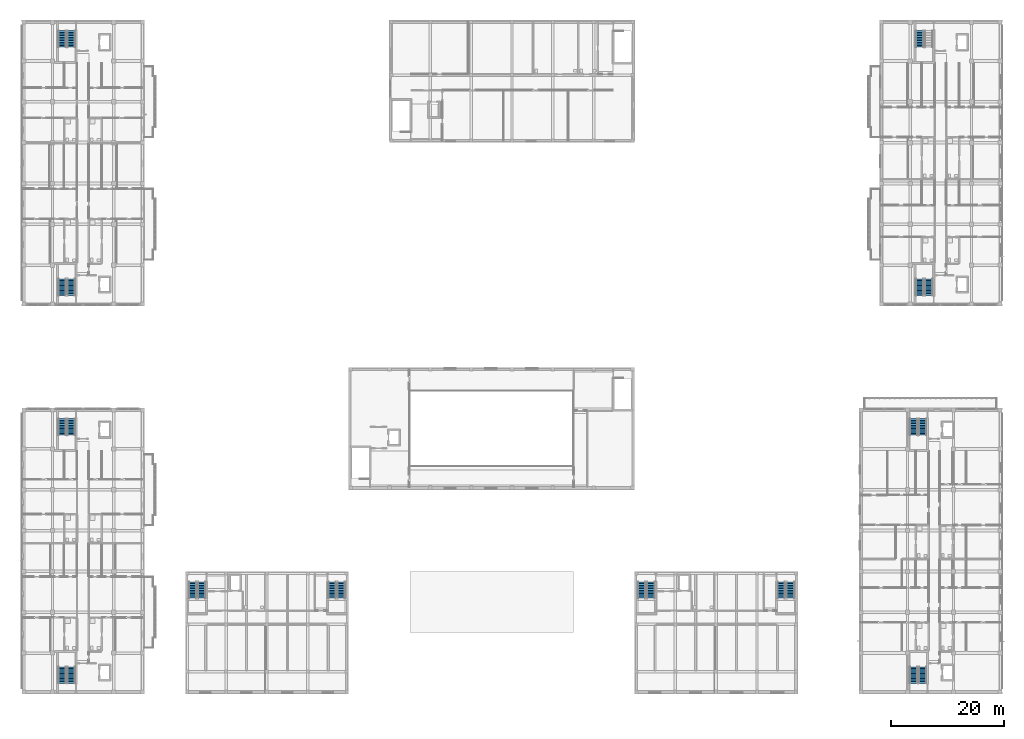
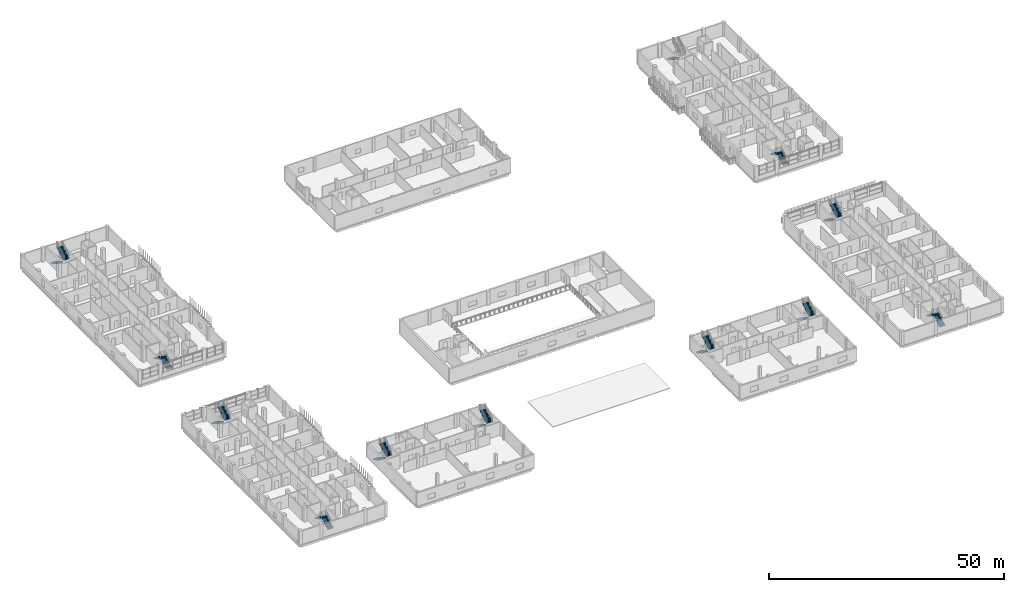
# One storey, part 53 of 73: 23 stair flights, 12 elements without a shape of their own.
"""IFC4 building model written with IfcOpenShell, lengths in metres."""

from ifc_helpers import new_model, si_unit, derived_unit, direction, frame, origin, place, context, subcontext, project, spatial, polyline, outline, extrude, material, type_object, element, aggregate, save


model = new_model("IFC4")

# Units and contexts
model_context = context("Model", 3, precision=1e-05, world=origin(), true_north=direction((0.0, 1.0)))
body_context = subcontext(model_context, "Body", "Model", "MODEL_VIEW")
ifc_project = project(units=[si_unit("LENGTHUNIT", "METRE"), si_unit("AREAUNIT", "SQUARE_METRE"), si_unit("VOLUMEUNIT", "CUBIC_METRE"), si_unit("PLANEANGLEUNIT", "RADIAN"), si_unit("MASSUNIT", "GRAM", prefix="KILO"), derived_unit("THERMALTRANSMITTANCEUNIT", [(si_unit("MASSUNIT", "GRAM", prefix="KILO"), 1), (si_unit("TIMEUNIT", "SECOND"), -3), (si_unit("THERMODYNAMICTEMPERATUREUNIT", "KELVIN"), -1)])], contexts=[model_context])

# Site, building, storey
site_placement = place(None, origin())
site = spatial("IfcSite", under=ifc_project, at=site_placement, CompositionType="ELEMENT")
building_placement = place(site_placement, origin())
building = spatial("IfcBuilding", under=site, at=building_placement, Name="Ochrekiln Boulevard Commons", CompositionType="ELEMENT")
storey_placement = place(building_placement, frame((0.0, 0.0, 4.89990234375)))
storey = spatial("IfcBuildingStorey", under=building, at=storey_placement, Name="L01", CompositionType="ELEMENT", Elevation=4.89990234375)

# Stair, stair flights
ifc_material = material(Name="Concrete C35/45", Category="concrete")
stair_type = type_object("IfcStairType", Name="STR-DL-368", PredefinedType="TWO_STRAIGHT_RUN_STAIR", material=ifc_material)
stair_1_placement = place(storey_placement, origin())
stair_1 = element("IfcStair", 1, at=stair_1_placement, inside=storey, type_object=stair_type, Name="L01 Enclosed Exit Stair ST-A1", PredefinedType="TWO_STRAIGHT_RUN_STAIR")
stair_flight_type = type_object("IfcStairFlightType", Name="SFL-ST-368", PredefinedType="STRAIGHT", material=ifc_material)
stair_flight_1_placement = place(storey_placement, frame((8.699951171875, 70.27001953125, 0.0), z_axis=(0.0, 0.0, 1.0), x_axis=(0.0, 1.0, 0.0)))
stair_flight_1 = element("IfcStairFlight", 2, at=stair_flight_1_placement, type_object=stair_flight_type, Name="ST-A1 flight 1", NumberOfRisers=11, NumberOfTreads=10, PredefinedType="STRAIGHT", RiserHeight=0.167045455, TreadLength=0.29, context=body_context, shape_type="SweptSolid", body=[
    extrude(outline(polyline([(0.0, 0.0), (0.0, 0.1669921875), (0.2900390625, 0.1669921875), (0.2900390625, 0.333984375), (0.580078125, 0.333984375), (0.580078125, 0.501220703125), (0.8701171875, 0.501220703125), (0.8701171875, 0.668212890625), (1.159912109375, 0.668212890625), (1.159912109375, 0.835205078125), (1.449951171875, 0.835205078125), (1.449951171875, 1.002197265625), (1.739990234375, 1.002197265625), (1.739990234375, 1.16943359375), (2.030029296875, 1.16943359375), (2.030029296875, 1.33642578125), (2.320068359375, 1.33642578125), (2.320068359375, 1.50341796875), (2.610107421875, 1.50341796875), (2.610107421875, 1.67041015625), (2.89990234375, 1.67041015625), (2.89990234375, 1.83740234375), (2.89990234375, 1.48583984375), (0.3203125, 0.0), (0.0, 0.0)])), frame((0.0, 0.699951171875, 0.0), z_axis=(0.0, -1.0, 0.0), x_axis=(1.0, 0.0, 0.0)), (0.0, 0.0, 1.0), 1.39990234375),
])
stair_flight_2_placement = place(storey_placement, frame((7.10009765625, 73.169921875, 1.837646484375), z_axis=(0.0, 0.0, 1.0), x_axis=(0.0, -1.0, 0.0)))
stair_flight_2 = element("IfcStairFlight", 3, at=stair_flight_2_placement, type_object=stair_flight_type, Name="ST-A1 flight 2", NumberOfRisers=11, NumberOfTreads=10, PredefinedType="STRAIGHT", RiserHeight=0.167045455, TreadLength=0.29, context=body_context, shape_type="SweptSolid", body=[
    extrude(outline(polyline([(0.0, 0.0), (0.0, 0.1669921875), (0.2900390625, 0.1669921875), (0.2900390625, 0.333984375), (0.580078125, 0.333984375), (0.580078125, 0.501220703125), (0.8701171875, 0.501220703125), (0.8701171875, 0.668212890625), (1.159912109375, 0.668212890625), (1.159912109375, 0.835205078125), (1.449951171875, 0.835205078125), (1.449951171875, 1.002197265625), (1.739990234375, 1.002197265625), (1.739990234375, 1.16943359375), (2.030029296875, 1.16943359375), (2.030029296875, 1.33642578125), (2.320068359375, 1.33642578125), (2.320068359375, 1.50341796875), (2.610107421875, 1.50341796875), (2.610107421875, 1.67041015625), (2.89990234375, 1.67041015625), (2.89990234375, 1.83740234375), (2.89990234375, 1.48583984375), (0.3203125, 0.0), (0.0, 0.0)])), frame((0.0, 0.699951171875, 0.0), z_axis=(0.0, -1.0, 0.0), x_axis=(1.0, 0.0, 0.0)), (0.0, 0.0, 1.0), 1.39990234375),
])
aggregate(stair_1, [stair_flight_1, stair_flight_2])

stair_2_placement = place(storey_placement, origin())
stair_2 = element("IfcStair", 4, at=stair_2_placement, inside=storey, type_object=stair_type, Name="L01 Enclosed Exit Stair ST-A2", PredefinedType="TWO_STRAIGHT_RUN_STAIR")
stair_flight_3_placement = place(storey_placement, frame((7.10009765625, 116.929931640625, 0.0), z_axis=(0.0, 0.0, 1.0), x_axis=(0.0, -1.0, 0.0)))
stair_flight_3 = element("IfcStairFlight", 5, at=stair_flight_3_placement, type_object=stair_flight_type, Name="ST-A2 flight 1", NumberOfRisers=11, NumberOfTreads=10, PredefinedType="STRAIGHT", RiserHeight=0.167045455, TreadLength=0.29, context=body_context, shape_type="SweptSolid", body=[
    extrude(outline(polyline([(0.0, 0.0), (0.0, 0.1669921875), (0.2900390625, 0.1669921875), (0.2900390625, 0.333984375), (0.580078125, 0.333984375), (0.580078125, 0.501220703125), (0.8701171875, 0.501220703125), (0.8701171875, 0.668212890625), (1.159912109375, 0.668212890625), (1.159912109375, 0.835205078125), (1.449951171875, 0.835205078125), (1.449951171875, 1.002197265625), (1.739990234375, 1.002197265625), (1.739990234375, 1.16943359375), (2.030029296875, 1.16943359375), (2.030029296875, 1.33642578125), (2.320068359375, 1.33642578125), (2.320068359375, 1.50341796875), (2.610107421875, 1.50341796875), (2.610107421875, 1.67041015625), (2.89990234375, 1.67041015625), (2.89990234375, 1.83740234375), (2.89990234375, 1.48583984375), (0.3203125, 0.0), (0.0, 0.0)])), frame((0.0, 0.699951171875, 0.0), z_axis=(0.0, -1.0, 0.0), x_axis=(1.0, 0.0, 0.0)), (0.0, 0.0, 1.0), 1.39990234375),
])
stair_flight_4_placement = place(storey_placement, frame((8.699951171875, 114.030029296875, 1.837646484375), z_axis=(0.0, 0.0, 1.0), x_axis=(0.0, 1.0, 0.0)))
stair_flight_4 = element("IfcStairFlight", 6, at=stair_flight_4_placement, type_object=stair_flight_type, Name="ST-A2 flight 2", NumberOfRisers=11, NumberOfTreads=10, PredefinedType="STRAIGHT", RiserHeight=0.167045455, TreadLength=0.29, context=body_context, shape_type="SweptSolid", body=[
    extrude(outline(polyline([(0.0, 0.0), (0.0, 0.1669921875), (0.2900390625, 0.1669921875), (0.2900390625, 0.333984375), (0.580078125, 0.333984375), (0.580078125, 0.501220703125), (0.8701171875, 0.501220703125), (0.8701171875, 0.668212890625), (1.159912109375, 0.668212890625), (1.159912109375, 0.835205078125), (1.449951171875, 0.835205078125), (1.449951171875, 1.002197265625), (1.739990234375, 1.002197265625), (1.739990234375, 1.16943359375), (2.030029296875, 1.16943359375), (2.030029296875, 1.33642578125), (2.320068359375, 1.33642578125), (2.320068359375, 1.50341796875), (2.610107421875, 1.50341796875), (2.610107421875, 1.67041015625), (2.89990234375, 1.67041015625), (2.89990234375, 1.83740234375), (2.89990234375, 1.48583984375), (0.3203125, 0.0), (0.0, 0.0)])), frame((0.0, 0.699951171875, 0.0), z_axis=(0.0, -1.0, 0.0), x_axis=(1.0, 0.0, 0.0)), (0.0, 0.0, 1.0), 1.39990234375),
])
aggregate(stair_2, [stair_flight_3, stair_flight_4])

stair_3_placement = place(storey_placement, origin())
stair_3 = element("IfcStair", 7, at=stair_3_placement, inside=storey, type_object=stair_type, Name="L01 Enclosed Exit Stair ST-B1", PredefinedType="TWO_STRAIGHT_RUN_STAIR")
stair_flight_5_placement = place(storey_placement, frame((159.89990234375, 70.27001953125, 0.0), z_axis=(0.0, 0.0, 1.0), x_axis=(0.0, 1.0, 0.0)))
stair_flight_5 = element("IfcStairFlight", 8, at=stair_flight_5_placement, type_object=stair_flight_type, Name="ST-B1 flight 1", NumberOfRisers=11, NumberOfTreads=10, PredefinedType="STRAIGHT", RiserHeight=0.167045455, TreadLength=0.29, context=body_context, shape_type="SweptSolid", body=[
    extrude(outline(polyline([(0.0, 0.0), (0.0, 0.1669921875), (0.2900390625, 0.1669921875), (0.2900390625, 0.333984375), (0.580078125, 0.333984375), (0.580078125, 0.501220703125), (0.8701171875, 0.501220703125), (0.8701171875, 0.668212890625), (1.159912109375, 0.668212890625), (1.159912109375, 0.835205078125), (1.449951171875, 0.835205078125), (1.449951171875, 1.002197265625), (1.739990234375, 1.002197265625), (1.739990234375, 1.16943359375), (2.030029296875, 1.16943359375), (2.030029296875, 1.33642578125), (2.320068359375, 1.33642578125), (2.320068359375, 1.50341796875), (2.610107421875, 1.50341796875), (2.610107421875, 1.67041015625), (2.89990234375, 1.67041015625), (2.89990234375, 1.83740234375), (2.89990234375, 1.48583984375), (0.3203125, 0.0), (0.0, 0.0)])), frame((0.0, 0.699951171875, 0.0), z_axis=(0.0, -1.0, 0.0), x_axis=(1.0, 0.0, 0.0)), (0.0, 0.0, 1.0), 1.39990234375),
])
stair_flight_6_placement = place(storey_placement, frame((158.300048828125, 73.169921875, 1.837646484375), z_axis=(0.0, 0.0, 1.0), x_axis=(0.0, -1.0, 0.0)))
stair_flight_6 = element("IfcStairFlight", 9, at=stair_flight_6_placement, type_object=stair_flight_type, Name="ST-B1 flight 2", NumberOfRisers=11, NumberOfTreads=10, PredefinedType="STRAIGHT", RiserHeight=0.167045455, TreadLength=0.29, context=body_context, shape_type="SweptSolid", body=[
    extrude(outline(polyline([(0.0, 0.0), (0.0, 0.1669921875), (0.2900390625, 0.1669921875), (0.2900390625, 0.333984375), (0.580078125, 0.333984375), (0.580078125, 0.501220703125), (0.8701171875, 0.501220703125), (0.8701171875, 0.668212890625), (1.159912109375, 0.668212890625), (1.159912109375, 0.835205078125), (1.449951171875, 0.835205078125), (1.449951171875, 1.002197265625), (1.739990234375, 1.002197265625), (1.739990234375, 1.16943359375), (2.030029296875, 1.16943359375), (2.030029296875, 1.33642578125), (2.320068359375, 1.33642578125), (2.320068359375, 1.50341796875), (2.610107421875, 1.50341796875), (2.610107421875, 1.67041015625), (2.89990234375, 1.67041015625), (2.89990234375, 1.83740234375), (2.89990234375, 1.48583984375), (0.3203125, 0.0), (0.0, 0.0)])), frame((0.0, 0.699951171875, 0.0), z_axis=(0.0, -1.0, 0.0), x_axis=(1.0, 0.0, 0.0)), (0.0, 0.0, 1.0), 1.39990234375),
])
aggregate(stair_3, [stair_flight_5, stair_flight_6])

# Stair, stair flight
stair_4_placement = place(storey_placement, origin())
stair_4 = element("IfcStair", 10, at=stair_4_placement, inside=storey, type_object=stair_type, Name="L01 Enclosed Exit Stair ST-B2", PredefinedType="TWO_STRAIGHT_RUN_STAIR")
stair_flight_7_placement = place(storey_placement, frame((158.300048828125, 116.929931640625, 0.0), z_axis=(0.0, 0.0, 1.0), x_axis=(0.0, -1.0, 0.0)))
stair_flight_7 = element("IfcStairFlight", 11, at=stair_flight_7_placement, type_object=stair_flight_type, Name="ST-B2 flight 1", NumberOfRisers=11, NumberOfTreads=10, PredefinedType="STRAIGHT", RiserHeight=0.167045455, TreadLength=0.29, context=body_context, shape_type="SweptSolid", body=[
    extrude(outline(polyline([(0.0, 0.0), (0.0, 0.1669921875), (0.2900390625, 0.1669921875), (0.2900390625, 0.333984375), (0.580078125, 0.333984375), (0.580078125, 0.501220703125), (0.8701171875, 0.501220703125), (0.8701171875, 0.668212890625), (1.159912109375, 0.668212890625), (1.159912109375, 0.835205078125), (1.449951171875, 0.835205078125), (1.449951171875, 1.002197265625), (1.739990234375, 1.002197265625), (1.739990234375, 1.16943359375), (2.030029296875, 1.16943359375), (2.030029296875, 1.33642578125), (2.320068359375, 1.33642578125), (2.320068359375, 1.50341796875), (2.610107421875, 1.50341796875), (2.610107421875, 1.67041015625), (2.89990234375, 1.67041015625), (2.89990234375, 1.83740234375), (2.89990234375, 1.48583984375), (0.3203125, 0.0), (0.0, 0.0)])), frame((0.0, 0.699951171875, 0.0), z_axis=(0.0, -1.0, 0.0), x_axis=(1.0, 0.0, 0.0)), (0.0, 0.0, 1.0), 1.39990234375),
])
aggregate(stair_4, [stair_flight_7])

# Stair, stair flights
stair_5_placement = place(storey_placement, origin())
stair_5 = element("IfcStair", 12, at=stair_5_placement, inside=storey, type_object=stair_type, Name="L01 Enclosed Exit Stair ST-C1", PredefinedType="TWO_STRAIGHT_RUN_STAIR")
stair_flight_8_placement = place(storey_placement, frame((158.800048828125, 1.8701171875, 0.0), z_axis=(0.0, 0.0, 1.0), x_axis=(0.0, 1.0, 0.0)))
stair_flight_8 = element("IfcStairFlight", 13, at=stair_flight_8_placement, type_object=stair_flight_type, Name="ST-C1 flight 1", NumberOfRisers=11, NumberOfTreads=10, PredefinedType="STRAIGHT", RiserHeight=0.167045455, TreadLength=0.29, context=body_context, shape_type="SweptSolid", body=[
    extrude(outline(polyline([(0.0, 0.0), (0.0, 0.1669921875), (0.2900390625, 0.1669921875), (0.2900390625, 0.333984375), (0.580078125, 0.333984375), (0.580078125, 0.501220703125), (0.8701171875, 0.501220703125), (0.8701171875, 0.668212890625), (1.159912109375, 0.668212890625), (1.159912109375, 0.835205078125), (1.449951171875, 0.835205078125), (1.449951171875, 1.002197265625), (1.739990234375, 1.002197265625), (1.739990234375, 1.16943359375), (2.030029296875, 1.16943359375), (2.030029296875, 1.33642578125), (2.320068359375, 1.33642578125), (2.320068359375, 1.50341796875), (2.610107421875, 1.50341796875), (2.610107421875, 1.67041015625), (2.89990234375, 1.67041015625), (2.89990234375, 1.83740234375), (2.89990234375, 1.48583984375), (0.3203125, 0.0), (0.0, 0.0)])), frame((0.0, 0.699951171875, 0.0), z_axis=(0.0, -1.0, 0.0), x_axis=(1.0, 0.0, 0.0)), (0.0, 0.0, 1.0), 1.39990234375),
])
stair_flight_9_placement = place(storey_placement, frame((157.199951171875, 4.77001953125, 1.837646484375), z_axis=(0.0, 0.0, 1.0), x_axis=(0.0, -1.0, 0.0)))
stair_flight_9 = element("IfcStairFlight", 14, at=stair_flight_9_placement, type_object=stair_flight_type, Name="ST-C1 flight 2", NumberOfRisers=11, NumberOfTreads=10, PredefinedType="STRAIGHT", RiserHeight=0.167045455, TreadLength=0.29, context=body_context, shape_type="SweptSolid", body=[
    extrude(outline(polyline([(0.0, 0.0), (0.0, 0.1669921875), (0.2900390625, 0.1669921875), (0.2900390625, 0.333984375), (0.580078125, 0.333984375), (0.580078125, 0.501220703125), (0.8701171875, 0.501220703125), (0.8701171875, 0.668212890625), (1.159912109375, 0.668212890625), (1.159912109375, 0.835205078125), (1.449951171875, 0.835205078125), (1.449951171875, 1.002197265625), (1.739990234375, 1.002197265625), (1.739990234375, 1.16943359375), (2.030029296875, 1.16943359375), (2.030029296875, 1.33642578125), (2.320068359375, 1.33642578125), (2.320068359375, 1.50341796875), (2.610107421875, 1.50341796875), (2.610107421875, 1.67041015625), (2.89990234375, 1.67041015625), (2.89990234375, 1.83740234375), (2.89990234375, 1.48583984375), (0.3203125, 0.0), (0.0, 0.0)])), frame((0.0, 0.699951171875, 0.0), z_axis=(0.0, -1.0, 0.0), x_axis=(1.0, 0.0, 0.0)), (0.0, 0.0, 1.0), 1.39990234375),
])
aggregate(stair_5, [stair_flight_8, stair_flight_9])

stair_6_placement = place(storey_placement, origin())
stair_6 = element("IfcStair", 15, at=stair_6_placement, inside=storey, type_object=stair_type, Name="L01 Enclosed Exit Stair ST-C2", PredefinedType="TWO_STRAIGHT_RUN_STAIR")
stair_flight_10_placement = place(storey_placement, frame((157.199951171875, 48.530029296875, 0.0), z_axis=(0.0, 0.0, 1.0), x_axis=(0.0, -1.0, 0.0)))
stair_flight_10 = element("IfcStairFlight", 16, at=stair_flight_10_placement, type_object=stair_flight_type, Name="ST-C2 flight 1", NumberOfRisers=11, NumberOfTreads=10, PredefinedType="STRAIGHT", RiserHeight=0.167045455, TreadLength=0.29, context=body_context, shape_type="SweptSolid", body=[
    extrude(outline(polyline([(0.0, 0.0), (0.0, 0.1669921875), (0.2900390625, 0.1669921875), (0.2900390625, 0.333984375), (0.580078125, 0.333984375), (0.580078125, 0.501220703125), (0.8701171875, 0.501220703125), (0.8701171875, 0.668212890625), (1.159912109375, 0.668212890625), (1.159912109375, 0.835205078125), (1.449951171875, 0.835205078125), (1.449951171875, 1.002197265625), (1.739990234375, 1.002197265625), (1.739990234375, 1.16943359375), (2.030029296875, 1.16943359375), (2.030029296875, 1.33642578125), (2.320068359375, 1.33642578125), (2.320068359375, 1.50341796875), (2.610107421875, 1.50341796875), (2.610107421875, 1.67041015625), (2.89990234375, 1.67041015625), (2.89990234375, 1.83740234375), (2.89990234375, 1.48583984375), (0.3203125, 0.0), (0.0, 0.0)])), frame((0.0, 0.699951171875, 0.0), z_axis=(0.0, -1.0, 0.0), x_axis=(1.0, 0.0, 0.0)), (0.0, 0.0, 1.0), 1.39990234375),
])
stair_flight_11_placement = place(storey_placement, frame((158.800048828125, 45.6298828125, 1.837646484375), z_axis=(0.0, 0.0, 1.0), x_axis=(0.0, 1.0, 0.0)))
stair_flight_11 = element("IfcStairFlight", 17, at=stair_flight_11_placement, type_object=stair_flight_type, Name="ST-C2 flight 2", NumberOfRisers=11, NumberOfTreads=10, PredefinedType="STRAIGHT", RiserHeight=0.167045455, TreadLength=0.29, context=body_context, shape_type="SweptSolid", body=[
    extrude(outline(polyline([(0.0, 0.0), (0.0, 0.1669921875), (0.2900390625, 0.1669921875), (0.2900390625, 0.333984375), (0.580078125, 0.333984375), (0.580078125, 0.501220703125), (0.8701171875, 0.501220703125), (0.8701171875, 0.668212890625), (1.159912109375, 0.668212890625), (1.159912109375, 0.835205078125), (1.449951171875, 0.835205078125), (1.449951171875, 1.002197265625), (1.739990234375, 1.002197265625), (1.739990234375, 1.16943359375), (2.030029296875, 1.16943359375), (2.030029296875, 1.33642578125), (2.320068359375, 1.33642578125), (2.320068359375, 1.50341796875), (2.610107421875, 1.50341796875), (2.610107421875, 1.67041015625), (2.89990234375, 1.67041015625), (2.89990234375, 1.83740234375), (2.89990234375, 1.48583984375), (0.3203125, 0.0), (0.0, 0.0)])), frame((0.0, 0.699951171875, 0.0), z_axis=(0.0, -1.0, 0.0), x_axis=(1.0, 0.0, 0.0)), (0.0, 0.0, 1.0), 1.39990234375),
])
aggregate(stair_6, [stair_flight_10, stair_flight_11])

stair_7_placement = place(storey_placement, origin())
stair_7 = element("IfcStair", 18, at=stair_7_placement, inside=storey, type_object=stair_type, Name="L01 Enclosed Exit Stair ST-D1", PredefinedType="TWO_STRAIGHT_RUN_STAIR")
stair_flight_12_placement = place(storey_placement, frame((8.699951171875, 1.8701171875, 0.0), z_axis=(0.0, 0.0, 1.0), x_axis=(0.0, 1.0, 0.0)))
stair_flight_12 = element("IfcStairFlight", 19, at=stair_flight_12_placement, type_object=stair_flight_type, Name="ST-D1 flight 1", NumberOfRisers=11, NumberOfTreads=10, PredefinedType="STRAIGHT", RiserHeight=0.167045455, TreadLength=0.29, context=body_context, shape_type="SweptSolid", body=[
    extrude(outline(polyline([(0.0, 0.0), (0.0, 0.1669921875), (0.2900390625, 0.1669921875), (0.2900390625, 0.333984375), (0.580078125, 0.333984375), (0.580078125, 0.501220703125), (0.8701171875, 0.501220703125), (0.8701171875, 0.668212890625), (1.159912109375, 0.668212890625), (1.159912109375, 0.835205078125), (1.449951171875, 0.835205078125), (1.449951171875, 1.002197265625), (1.739990234375, 1.002197265625), (1.739990234375, 1.16943359375), (2.030029296875, 1.16943359375), (2.030029296875, 1.33642578125), (2.320068359375, 1.33642578125), (2.320068359375, 1.50341796875), (2.610107421875, 1.50341796875), (2.610107421875, 1.67041015625), (2.89990234375, 1.67041015625), (2.89990234375, 1.83740234375), (2.89990234375, 1.48583984375), (0.3203125, 0.0), (0.0, 0.0)])), frame((0.0, 0.699951171875, 0.0), z_axis=(0.0, -1.0, 0.0), x_axis=(1.0, 0.0, 0.0)), (0.0, 0.0, 1.0), 1.39990234375),
])
stair_flight_13_placement = place(storey_placement, frame((7.10009765625, 4.77001953125, 1.837646484375), z_axis=(0.0, 0.0, 1.0), x_axis=(0.0, -1.0, 0.0)))
stair_flight_13 = element("IfcStairFlight", 20, at=stair_flight_13_placement, type_object=stair_flight_type, Name="ST-D1 flight 2", NumberOfRisers=11, NumberOfTreads=10, PredefinedType="STRAIGHT", RiserHeight=0.167045455, TreadLength=0.29, context=body_context, shape_type="SweptSolid", body=[
    extrude(outline(polyline([(0.0, 0.0), (0.0, 0.1669921875), (0.2900390625, 0.1669921875), (0.2900390625, 0.333984375), (0.580078125, 0.333984375), (0.580078125, 0.501220703125), (0.8701171875, 0.501220703125), (0.8701171875, 0.668212890625), (1.159912109375, 0.668212890625), (1.159912109375, 0.835205078125), (1.449951171875, 0.835205078125), (1.449951171875, 1.002197265625), (1.739990234375, 1.002197265625), (1.739990234375, 1.16943359375), (2.030029296875, 1.16943359375), (2.030029296875, 1.33642578125), (2.320068359375, 1.33642578125), (2.320068359375, 1.50341796875), (2.610107421875, 1.50341796875), (2.610107421875, 1.67041015625), (2.89990234375, 1.67041015625), (2.89990234375, 1.83740234375), (2.89990234375, 1.48583984375), (0.3203125, 0.0), (0.0, 0.0)])), frame((0.0, 0.699951171875, 0.0), z_axis=(0.0, -1.0, 0.0), x_axis=(1.0, 0.0, 0.0)), (0.0, 0.0, 1.0), 1.39990234375),
])
aggregate(stair_7, [stair_flight_12, stair_flight_13])

stair_8_placement = place(storey_placement, origin())
stair_8 = element("IfcStair", 21, at=stair_8_placement, inside=storey, type_object=stair_type, Name="L01 Enclosed Exit Stair ST-D2", PredefinedType="TWO_STRAIGHT_RUN_STAIR")
stair_flight_14_placement = place(storey_placement, frame((7.10009765625, 48.530029296875, 0.0), z_axis=(0.0, 0.0, 1.0), x_axis=(0.0, -1.0, 0.0)))
stair_flight_14 = element("IfcStairFlight", 22, at=stair_flight_14_placement, type_object=stair_flight_type, Name="ST-D2 flight 1", NumberOfRisers=11, NumberOfTreads=10, PredefinedType="STRAIGHT", RiserHeight=0.167045455, TreadLength=0.29, context=body_context, shape_type="SweptSolid", body=[
    extrude(outline(polyline([(0.0, 0.0), (0.0, 0.1669921875), (0.2900390625, 0.1669921875), (0.2900390625, 0.333984375), (0.580078125, 0.333984375), (0.580078125, 0.501220703125), (0.8701171875, 0.501220703125), (0.8701171875, 0.668212890625), (1.159912109375, 0.668212890625), (1.159912109375, 0.835205078125), (1.449951171875, 0.835205078125), (1.449951171875, 1.002197265625), (1.739990234375, 1.002197265625), (1.739990234375, 1.16943359375), (2.030029296875, 1.16943359375), (2.030029296875, 1.33642578125), (2.320068359375, 1.33642578125), (2.320068359375, 1.50341796875), (2.610107421875, 1.50341796875), (2.610107421875, 1.67041015625), (2.89990234375, 1.67041015625), (2.89990234375, 1.83740234375), (2.89990234375, 1.48583984375), (0.3203125, 0.0), (0.0, 0.0)])), frame((0.0, 0.699951171875, 0.0), z_axis=(0.0, -1.0, 0.0), x_axis=(1.0, 0.0, 0.0)), (0.0, 0.0, 1.0), 1.39990234375),
])
stair_flight_15_placement = place(storey_placement, frame((8.699951171875, 45.6298828125, 1.837646484375), z_axis=(0.0, 0.0, 1.0), x_axis=(0.0, 1.0, 0.0)))
stair_flight_15 = element("IfcStairFlight", 23, at=stair_flight_15_placement, type_object=stair_flight_type, Name="ST-D2 flight 2", NumberOfRisers=11, NumberOfTreads=10, PredefinedType="STRAIGHT", RiserHeight=0.167045455, TreadLength=0.29, context=body_context, shape_type="SweptSolid", body=[
    extrude(outline(polyline([(0.0, 0.0), (0.0, 0.1669921875), (0.2900390625, 0.1669921875), (0.2900390625, 0.333984375), (0.580078125, 0.333984375), (0.580078125, 0.501220703125), (0.8701171875, 0.501220703125), (0.8701171875, 0.668212890625), (1.159912109375, 0.668212890625), (1.159912109375, 0.835205078125), (1.449951171875, 0.835205078125), (1.449951171875, 1.002197265625), (1.739990234375, 1.002197265625), (1.739990234375, 1.16943359375), (2.030029296875, 1.16943359375), (2.030029296875, 1.33642578125), (2.320068359375, 1.33642578125), (2.320068359375, 1.50341796875), (2.610107421875, 1.50341796875), (2.610107421875, 1.67041015625), (2.89990234375, 1.67041015625), (2.89990234375, 1.83740234375), (2.89990234375, 1.48583984375), (0.3203125, 0.0), (0.0, 0.0)])), frame((0.0, 0.699951171875, 0.0), z_axis=(0.0, -1.0, 0.0), x_axis=(1.0, 0.0, 0.0)), (0.0, 0.0, 1.0), 1.39990234375),
])
aggregate(stair_8, [stair_flight_14, stair_flight_15])

stair_9_placement = place(storey_placement, origin())
stair_9 = element("IfcStair", 24, at=stair_9_placement, inside=storey, type_object=stair_type, Name="L01 Enclosed Exit Stair ST-W1", PredefinedType="TWO_STRAIGHT_RUN_STAIR")
stair_flight_16_placement = place(storey_placement, frame((30.10009765625, 19.72998046875, 0.0), z_axis=(0.0, 0.0, 1.0), x_axis=(0.0, -1.0, 0.0)))
stair_flight_16 = element("IfcStairFlight", 25, at=stair_flight_16_placement, type_object=stair_flight_type, Name="ST-W1 flight 1", NumberOfRisers=11, NumberOfTreads=10, PredefinedType="STRAIGHT", RiserHeight=0.167045455, TreadLength=0.29, context=body_context, shape_type="SweptSolid", body=[
    extrude(outline(polyline([(0.0, 0.0), (0.0, 0.1669921875), (0.2900390625, 0.1669921875), (0.2900390625, 0.333984375), (0.580078125, 0.333984375), (0.580078125, 0.501220703125), (0.8701171875, 0.501220703125), (0.8701171875, 0.668212890625), (1.159912109375, 0.668212890625), (1.159912109375, 0.835205078125), (1.449951171875, 0.835205078125), (1.449951171875, 1.002197265625), (1.739990234375, 1.002197265625), (1.739990234375, 1.16943359375), (2.030029296875, 1.16943359375), (2.030029296875, 1.33642578125), (2.320068359375, 1.33642578125), (2.320068359375, 1.50341796875), (2.610107421875, 1.50341796875), (2.610107421875, 1.67041015625), (2.89990234375, 1.67041015625), (2.89990234375, 1.83740234375), (2.89990234375, 1.48583984375), (0.3203125, 0.0), (0.0, 0.0)])), frame((0.0, 0.699951171875, 0.0), z_axis=(0.0, -1.0, 0.0), x_axis=(1.0, 0.0, 0.0)), (0.0, 0.0, 1.0), 1.39990234375),
])
stair_flight_17_placement = place(storey_placement, frame((31.699951171875, 16.830078125, 1.837646484375), z_axis=(0.0, 0.0, 1.0), x_axis=(0.0, 1.0, 0.0)))
stair_flight_17 = element("IfcStairFlight", 26, at=stair_flight_17_placement, type_object=stair_flight_type, Name="ST-W1 flight 2", NumberOfRisers=11, NumberOfTreads=10, PredefinedType="STRAIGHT", RiserHeight=0.167045455, TreadLength=0.29, context=body_context, shape_type="SweptSolid", body=[
    extrude(outline(polyline([(0.0, 0.0), (0.0, 0.1669921875), (0.2900390625, 0.1669921875), (0.2900390625, 0.333984375), (0.580078125, 0.333984375), (0.580078125, 0.501220703125), (0.8701171875, 0.501220703125), (0.8701171875, 0.668212890625), (1.159912109375, 0.668212890625), (1.159912109375, 0.835205078125), (1.449951171875, 0.835205078125), (1.449951171875, 1.002197265625), (1.739990234375, 1.002197265625), (1.739990234375, 1.16943359375), (2.030029296875, 1.16943359375), (2.030029296875, 1.33642578125), (2.320068359375, 1.33642578125), (2.320068359375, 1.50341796875), (2.610107421875, 1.50341796875), (2.610107421875, 1.67041015625), (2.89990234375, 1.67041015625), (2.89990234375, 1.83740234375), (2.89990234375, 1.48583984375), (0.3203125, 0.0), (0.0, 0.0)])), frame((0.0, 0.699951171875, 0.0), z_axis=(0.0, -1.0, 0.0), x_axis=(1.0, 0.0, 0.0)), (0.0, 0.0, 1.0), 1.39990234375),
])
aggregate(stair_9, [stair_flight_16, stair_flight_17])

stair_10_placement = place(storey_placement, origin())
stair_10 = element("IfcStair", 27, at=stair_10_placement, inside=storey, type_object=stair_type, Name="L01 Enclosed Exit Stair ST-W2", PredefinedType="TWO_STRAIGHT_RUN_STAIR")
stair_flight_18_placement = place(storey_placement, frame((54.699951171875, 19.72998046875, 0.0), z_axis=(0.0, 0.0, 1.0), x_axis=(0.0, -1.0, 0.0)))
stair_flight_18 = element("IfcStairFlight", 28, at=stair_flight_18_placement, type_object=stair_flight_type, Name="ST-W2 flight 1", NumberOfRisers=11, NumberOfTreads=10, PredefinedType="STRAIGHT", RiserHeight=0.167045455, TreadLength=0.29, context=body_context, shape_type="SweptSolid", body=[
    extrude(outline(polyline([(0.0, 0.0), (0.0, 0.1669921875), (0.2900390625, 0.1669921875), (0.2900390625, 0.333984375), (0.580078125, 0.333984375), (0.580078125, 0.501220703125), (0.8701171875, 0.501220703125), (0.8701171875, 0.668212890625), (1.159912109375, 0.668212890625), (1.159912109375, 0.835205078125), (1.449951171875, 0.835205078125), (1.449951171875, 1.002197265625), (1.739990234375, 1.002197265625), (1.739990234375, 1.16943359375), (2.030029296875, 1.16943359375), (2.030029296875, 1.33642578125), (2.320068359375, 1.33642578125), (2.320068359375, 1.50341796875), (2.610107421875, 1.50341796875), (2.610107421875, 1.67041015625), (2.89990234375, 1.67041015625), (2.89990234375, 1.83740234375), (2.89990234375, 1.48583984375), (0.3203125, 0.0), (0.0, 0.0)])), frame((0.0, 0.699951171875, 0.0), z_axis=(0.0, -1.0, 0.0), x_axis=(1.0, 0.0, 0.0)), (0.0, 0.0, 1.0), 1.39990234375),
])
stair_flight_19_placement = place(storey_placement, frame((56.300048828125, 16.830078125, 1.837646484375), z_axis=(0.0, 0.0, 1.0), x_axis=(0.0, 1.0, 0.0)))
stair_flight_19 = element("IfcStairFlight", 29, at=stair_flight_19_placement, type_object=stair_flight_type, Name="ST-W2 flight 2", NumberOfRisers=11, NumberOfTreads=10, PredefinedType="STRAIGHT", RiserHeight=0.167045455, TreadLength=0.29, context=body_context, shape_type="SweptSolid", body=[
    extrude(outline(polyline([(0.0, 0.0), (0.0, 0.1669921875), (0.2900390625, 0.1669921875), (0.2900390625, 0.333984375), (0.580078125, 0.333984375), (0.580078125, 0.501220703125), (0.8701171875, 0.501220703125), (0.8701171875, 0.668212890625), (1.159912109375, 0.668212890625), (1.159912109375, 0.835205078125), (1.449951171875, 0.835205078125), (1.449951171875, 1.002197265625), (1.739990234375, 1.002197265625), (1.739990234375, 1.16943359375), (2.030029296875, 1.16943359375), (2.030029296875, 1.33642578125), (2.320068359375, 1.33642578125), (2.320068359375, 1.50341796875), (2.610107421875, 1.50341796875), (2.610107421875, 1.67041015625), (2.89990234375, 1.67041015625), (2.89990234375, 1.83740234375), (2.89990234375, 1.48583984375), (0.3203125, 0.0), (0.0, 0.0)])), frame((0.0, 0.699951171875, 0.0), z_axis=(0.0, -1.0, 0.0), x_axis=(1.0, 0.0, 0.0)), (0.0, 0.0, 1.0), 1.39990234375),
])
aggregate(stair_10, [stair_flight_18, stair_flight_19])

stair_11_placement = place(storey_placement, origin())
stair_11 = element("IfcStair", 30, at=stair_11_placement, inside=storey, type_object=stair_type, Name="L01 Enclosed Exit Stair ST-E1", PredefinedType="TWO_STRAIGHT_RUN_STAIR")
stair_flight_20_placement = place(storey_placement, frame((109.300048828125, 19.72998046875, 0.0), z_axis=(0.0, 0.0, 1.0), x_axis=(0.0, -1.0, 0.0)))
stair_flight_20 = element("IfcStairFlight", 31, at=stair_flight_20_placement, type_object=stair_flight_type, Name="ST-E1 flight 1", NumberOfRisers=11, NumberOfTreads=10, PredefinedType="STRAIGHT", RiserHeight=0.167045455, TreadLength=0.29, context=body_context, shape_type="SweptSolid", body=[
    extrude(outline(polyline([(0.0, 0.0), (0.0, 0.1669921875), (0.2900390625, 0.1669921875), (0.2900390625, 0.333984375), (0.580078125, 0.333984375), (0.580078125, 0.501220703125), (0.8701171875, 0.501220703125), (0.8701171875, 0.668212890625), (1.159912109375, 0.668212890625), (1.159912109375, 0.835205078125), (1.449951171875, 0.835205078125), (1.449951171875, 1.002197265625), (1.739990234375, 1.002197265625), (1.739990234375, 1.16943359375), (2.030029296875, 1.16943359375), (2.030029296875, 1.33642578125), (2.320068359375, 1.33642578125), (2.320068359375, 1.50341796875), (2.610107421875, 1.50341796875), (2.610107421875, 1.67041015625), (2.89990234375, 1.67041015625), (2.89990234375, 1.83740234375), (2.89990234375, 1.48583984375), (0.3203125, 0.0), (0.0, 0.0)])), frame((0.0, 0.699951171875, 0.0), z_axis=(0.0, -1.0, 0.0), x_axis=(1.0, 0.0, 0.0)), (0.0, 0.0, 1.0), 1.39990234375),
])
stair_flight_21_placement = place(storey_placement, frame((110.89990234375, 16.830078125, 1.837646484375), z_axis=(0.0, 0.0, 1.0), x_axis=(0.0, 1.0, 0.0)))
stair_flight_21 = element("IfcStairFlight", 32, at=stair_flight_21_placement, type_object=stair_flight_type, Name="ST-E1 flight 2", NumberOfRisers=11, NumberOfTreads=10, PredefinedType="STRAIGHT", RiserHeight=0.167045455, TreadLength=0.29, context=body_context, shape_type="SweptSolid", body=[
    extrude(outline(polyline([(0.0, 0.0), (0.0, 0.1669921875), (0.2900390625, 0.1669921875), (0.2900390625, 0.333984375), (0.580078125, 0.333984375), (0.580078125, 0.501220703125), (0.8701171875, 0.501220703125), (0.8701171875, 0.668212890625), (1.159912109375, 0.668212890625), (1.159912109375, 0.835205078125), (1.449951171875, 0.835205078125), (1.449951171875, 1.002197265625), (1.739990234375, 1.002197265625), (1.739990234375, 1.16943359375), (2.030029296875, 1.16943359375), (2.030029296875, 1.33642578125), (2.320068359375, 1.33642578125), (2.320068359375, 1.50341796875), (2.610107421875, 1.50341796875), (2.610107421875, 1.67041015625), (2.89990234375, 1.67041015625), (2.89990234375, 1.83740234375), (2.89990234375, 1.48583984375), (0.3203125, 0.0), (0.0, 0.0)])), frame((0.0, 0.699951171875, 0.0), z_axis=(0.0, -1.0, 0.0), x_axis=(1.0, 0.0, 0.0)), (0.0, 0.0, 1.0), 1.39990234375),
])
aggregate(stair_11, [stair_flight_20, stair_flight_21])

stair_12_placement = place(storey_placement, origin())
stair_12 = element("IfcStair", 33, at=stair_12_placement, inside=storey, type_object=stair_type, Name="L01 Enclosed Exit Stair ST-E2", PredefinedType="TWO_STRAIGHT_RUN_STAIR")
stair_flight_22_placement = place(storey_placement, frame((133.89990234375, 19.72998046875, 0.0), z_axis=(0.0, 0.0, 1.0), x_axis=(0.0, -1.0, 0.0)))
stair_flight_22 = element("IfcStairFlight", 34, at=stair_flight_22_placement, type_object=stair_flight_type, Name="ST-E2 flight 1", NumberOfRisers=11, NumberOfTreads=10, PredefinedType="STRAIGHT", RiserHeight=0.167045455, TreadLength=0.29, context=body_context, shape_type="SweptSolid", body=[
    extrude(outline(polyline([(0.0, 0.0), (0.0, 0.1669921875), (0.2900390625, 0.1669921875), (0.2900390625, 0.333984375), (0.580078125, 0.333984375), (0.580078125, 0.501220703125), (0.8701171875, 0.501220703125), (0.8701171875, 0.668212890625), (1.159912109375, 0.668212890625), (1.159912109375, 0.835205078125), (1.449951171875, 0.835205078125), (1.449951171875, 1.002197265625), (1.739990234375, 1.002197265625), (1.739990234375, 1.16943359375), (2.030029296875, 1.16943359375), (2.030029296875, 1.33642578125), (2.320068359375, 1.33642578125), (2.320068359375, 1.50341796875), (2.610107421875, 1.50341796875), (2.610107421875, 1.67041015625), (2.89990234375, 1.67041015625), (2.89990234375, 1.83740234375), (2.89990234375, 1.48583984375), (0.3203125, 0.0), (0.0, 0.0)])), frame((0.0, 0.699951171875, 0.0), z_axis=(0.0, -1.0, 0.0), x_axis=(1.0, 0.0, 0.0)), (0.0, 0.0, 1.0), 1.39990234375),
])
stair_flight_23_placement = place(storey_placement, frame((135.5, 16.830078125, 1.837646484375), z_axis=(0.0, 0.0, 1.0), x_axis=(0.0, 1.0, 0.0)))
stair_flight_23 = element("IfcStairFlight", 35, at=stair_flight_23_placement, type_object=stair_flight_type, Name="ST-E2 flight 2", NumberOfRisers=11, NumberOfTreads=10, PredefinedType="STRAIGHT", RiserHeight=0.167045455, TreadLength=0.29, context=body_context, shape_type="SweptSolid", body=[
    extrude(outline(polyline([(0.0, 0.0), (0.0, 0.1669921875), (0.2900390625, 0.1669921875), (0.2900390625, 0.333984375), (0.580078125, 0.333984375), (0.580078125, 0.501220703125), (0.8701171875, 0.501220703125), (0.8701171875, 0.668212890625), (1.159912109375, 0.668212890625), (1.159912109375, 0.835205078125), (1.449951171875, 0.835205078125), (1.449951171875, 1.002197265625), (1.739990234375, 1.002197265625), (1.739990234375, 1.16943359375), (2.030029296875, 1.16943359375), (2.030029296875, 1.33642578125), (2.320068359375, 1.33642578125), (2.320068359375, 1.50341796875), (2.610107421875, 1.50341796875), (2.610107421875, 1.67041015625), (2.89990234375, 1.67041015625), (2.89990234375, 1.83740234375), (2.89990234375, 1.48583984375), (0.3203125, 0.0), (0.0, 0.0)])), frame((0.0, 0.699951171875, 0.0), z_axis=(0.0, -1.0, 0.0), x_axis=(1.0, 0.0, 0.0)), (0.0, 0.0, 1.0), 1.39990234375),
])
aggregate(stair_12, [stair_flight_22, stair_flight_23])

save(model, "model.ifc")
